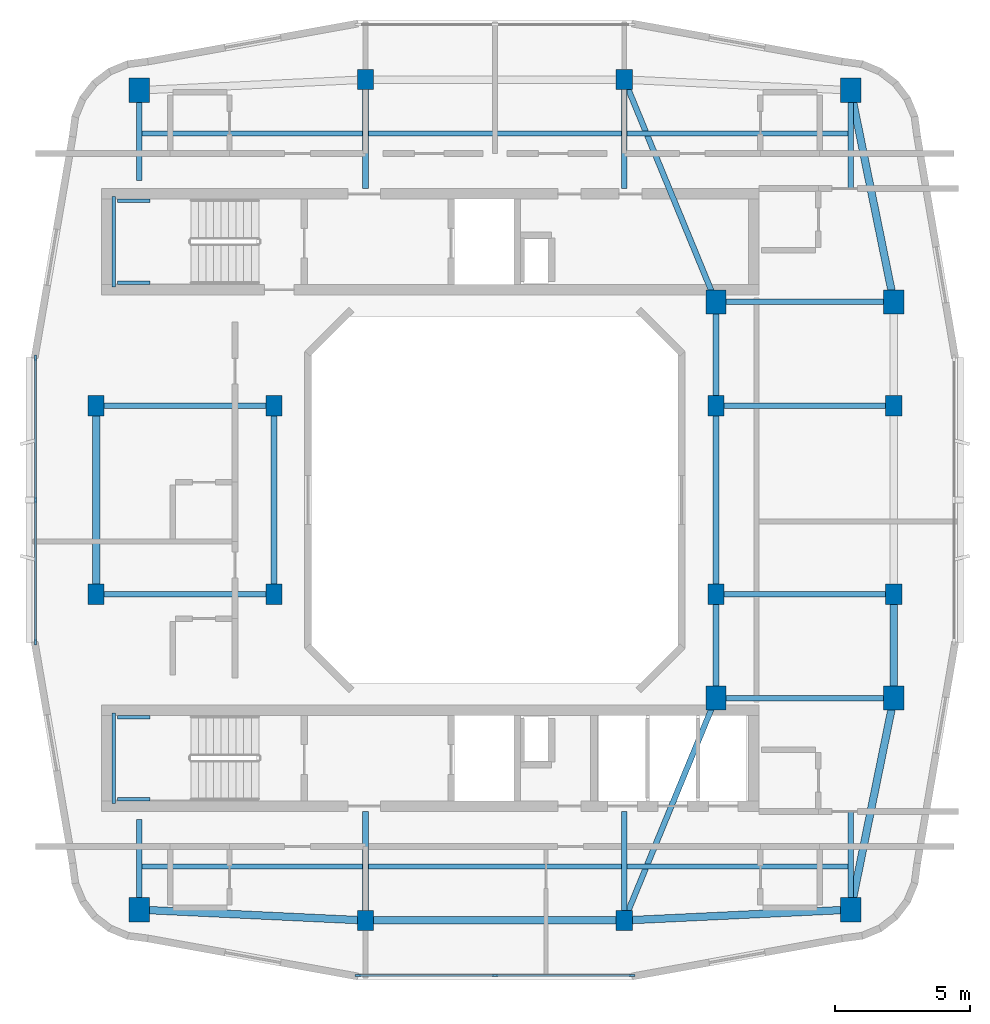
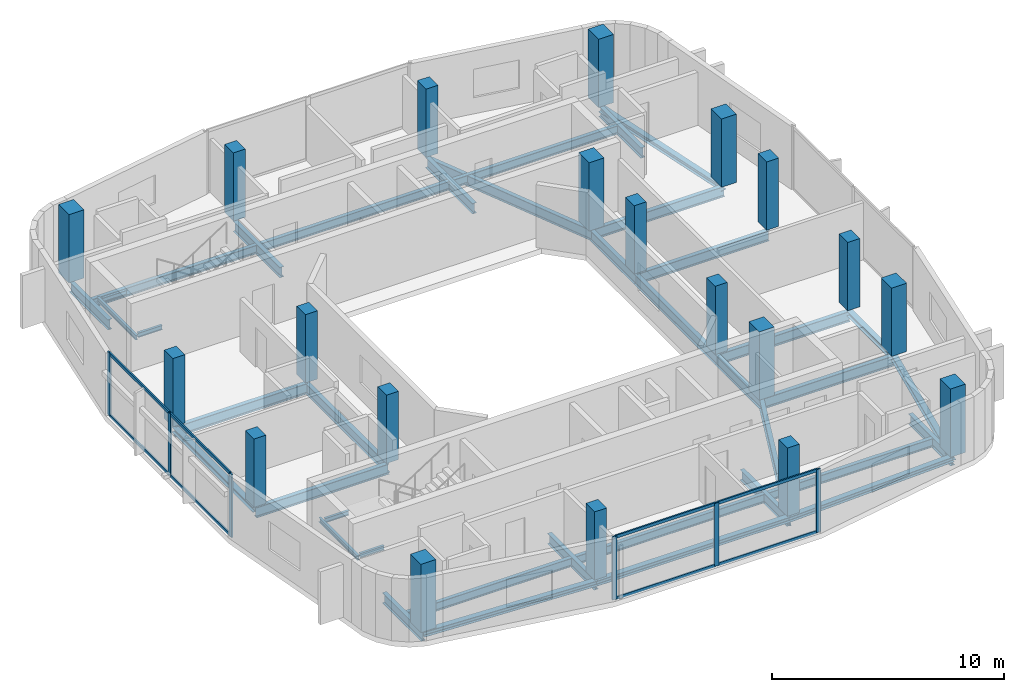
# One storey, part 1 of 8: 39 beams, 20 columns, 14 members, 2 elements without a shape of their own.
"""IFC4 building model written with IfcOpenShell, lengths in metres."""

from ifc_helpers import new_model, si_unit, derived_unit, direction, frame, origin, origin_2d, place, context, subcontext, project, spatial, rectangle, i_section, extrude, material, layer, layer_set, material_profile, profile_set, type_object, element, aggregate, save


model = new_model("IFC4")

# Units and contexts
model_context = context("Model", 3, precision=1e-05, world=origin(), true_north=direction((0.0, 1.0)))
body_context = subcontext(model_context, "Body", "Model", "MODEL_VIEW")
ifc_project = project(units=[si_unit("LENGTHUNIT", "METRE"), si_unit("AREAUNIT", "SQUARE_METRE"), si_unit("VOLUMEUNIT", "CUBIC_METRE"), si_unit("PLANEANGLEUNIT", "RADIAN"), si_unit("MASSUNIT", "GRAM", prefix="KILO"), derived_unit("THERMALTRANSMITTANCEUNIT", [(si_unit("POWERUNIT", "WATT"), 1), (si_unit("LENGTHUNIT", "METRE"), -2), (si_unit("THERMODYNAMICTEMPERATUREUNIT", "KELVIN"), -1)])], contexts=[model_context])

# Site, building, storey
site_placement = place(None, origin())
site = spatial("IfcSite", under=ifc_project, at=site_placement, CompositionType="ELEMENT")
building_placement = place(site_placement, origin())
building = spatial("IfcBuilding", under=site, at=building_placement, Name="Kivonza Crest Hotel", CompositionType="ELEMENT")
storey_placement = place(building_placement, frame((0.0, 0.0, 257.60009765625)))
storey = spatial("IfcBuildingStorey", under=building, at=storey_placement, Name="L70", CompositionType="ELEMENT", Elevation=257.60009765625)

# Columns
ifc_material_1 = material(Name="Concrete C50/60", Category="concrete")
ifc_material_profile_1 = material_profile(ifc_material_1, rectangle(XDim=0.60009765625, YDim=0.75, at=origin_2d()), Name="RC 750x600")
ifc_profile_set_1 = profile_set([ifc_material_profile_1], Name="Concrete C50/60")
column_type_1 = type_object("IfcColumnType", Name="CL-RC-750x600", PredefinedType="COLUMN", material=ifc_profile_set_1)
for number, where, z_axis, x_axis, name in (
    (1, (16.199951171875, 9.39990234375, 0.0), (0.0, 0.0, 1.0), (1.0, 0.0, 0.0), "Tower T1 L70 column S1"),
    (2, (25.800048828125, 9.39990234375, 0.0), (0.0, 0.0, 1.0), (1.0, 0.0, 0.0), "Tower T1 L70 column S2"),
    (3, (16.199951171875, 40.60009765625, 0.0), (0.0, 0.0, 1.0), (1.0, 0.0, 0.0), "Tower T1 L70 column N1"),
    (4, (25.800048828125, 40.60009765625, 0.0), (0.0, 0.0, 1.0), (1.0, 0.0, 0.0), "Tower T1 L70 column N2"),
    (5, (6.199951171875, 21.5, 0.0), (0.0, 0.0, 1.0), (1.0, 0.0, 0.0), "Tower T1 L70 column W1"),
    (6, (6.199951171875, 28.5, 0.0), (0.0, 0.0, 1.0), (1.0, 0.0, 0.0), "Tower T1 L70 column W2"),
    (7, (35.800048828125, 21.5, 0.0), (0.0, 0.0, 1.0), (1.0, 0.0, 0.0), "Tower T1 L70 column E1"),
    (8, (35.800048828125, 28.5, 0.0), (0.0, 0.0, 1.0), (1.0, 0.0, 0.0), "Tower T1 L70 column E2"),
    (9, (12.800048828125, 21.5, 0.0), (0.0, 0.0, 1.0), (1.0, 0.0, 0.0), "Tower T1 L70 column WL1"),
    (10, (12.800048828125, 28.5, 0.0), (0.0, 0.0, 1.0), (1.0, 0.0, 0.0), "Tower T1 L70 column WL2"),
    (11, (29.199951171875, 21.5, 0.0), (0.0, 0.0, 1.0), (1.0, 0.0, 0.0), "Tower T1 L70 column WR1"),
    (12, (29.199951171875, 28.5, 0.0), (0.0, 0.0, 1.0), (1.0, 0.0, 0.0), "Tower T1 L70 column WR2"),
):
    element("IfcColumn", number, at=place(storey_placement, frame(where, z_axis=z_axis, x_axis=x_axis)), inside=storey, type_object=column_type_1, Name=name, PredefinedType="COLUMN", context=body_context, shape_type="SweptSolid", body=[
        extrude(rectangle(XDim=0.60009765625, YDim=0.75, at=origin_2d()), origin(), (0.0, 0.0, 1.0), 3.599853515625),
    ])
ifc_material_profile_2 = material_profile(ifc_material_1, rectangle(XDim=0.75, YDim=0.89990234375, at=origin_2d()), Name="RC 900x750")
ifc_profile_set_2 = profile_set([ifc_material_profile_2], Name="Concrete C50/60")
column_type_2 = type_object("IfcColumnType", Name="CL-RC-900x750", PredefinedType="COLUMN", material=ifc_profile_set_2)
for number, where, z_axis, x_axis, name in (
    (13, (7.800048828125, 9.800048828125, 0.0), (0.0, 0.0, 1.0), (1.0, 0.0, 0.0), "Tower T1 L70 column SW"),
    (14, (34.199951171875, 9.800048828125, 0.0), (0.0, 0.0, 1.0), (1.0, 0.0, 0.0), "Tower T1 L70 column SE"),
    (15, (34.199951171875, 40.199951171875, 0.0), (0.0, 0.0, 1.0), (1.0, 0.0, 0.0), "Tower T1 L70 column NE"),
    (16, (7.800048828125, 40.199951171875, 0.0), (0.0, 0.0, 1.0), (1.0, 0.0, 0.0), "Tower T1 L70 column NW"),
    (17, (35.800048828125, 17.64990234375, 0.0), (0.0, 0.0, 1.0), (1.0, 0.0, 0.0), "Tower T1 L70 column PSE"),
    (18, (35.800048828125, 32.35009765625, 0.0), (0.0, 0.0, 1.0), (1.0, 0.0, 0.0), "Tower T1 L70 column PNE"),
    (19, (29.199951171875, 17.64990234375, 0.0), (0.0, 0.0, 1.0), (1.0, 0.0, 0.0), "Tower T1 L70 column TSE"),
    (20, (29.199951171875, 32.35009765625, 0.0), (0.0, 0.0, 1.0), (1.0, 0.0, 0.0), "Tower T1 L70 column TNE"),
):
    element("IfcColumn", number, at=place(storey_placement, frame(where, z_axis=z_axis, x_axis=x_axis)), inside=storey, type_object=column_type_2, Name=name, PredefinedType="COLUMN", context=body_context, shape_type="SweptSolid", body=[
        extrude(rectangle(XDim=0.75, YDim=0.89990234375, at=origin_2d()), origin(), (0.0, 0.0, 1.0), 3.599853515625),
    ])

# Beams
ifc_material_2 = material(Name="Steel S355", Category="steel")
ifc_material_profile_3 = material_profile(ifc_material_2, i_section(OverallWidth=0.280029296875, OverallDepth=0.280029296875, WebThickness=0.010498046875, FlangeThickness=0.01806640625, FilletRadius=0.02392578125, at=origin_2d()), Name="HEB 280")
ifc_profile_set_3 = profile_set([ifc_material_profile_3], Name="Steel S355")
beam_type_1 = type_object("IfcBeamType", Name="BM-HEB280", PredefinedType="SPANDREL", material=ifc_profile_set_3)
beam_1_placement = place(storey_placement, frame((16.199951171875, 9.39990234375, -0.420166015625), z_axis=(1.0, 0.0, 0.0), x_axis=(0.0, 1.0, 0.0)))
element("IfcBeam", 21, at=beam_1_placement, inside=storey, type_object=beam_type_1, Name="Tower T1 L70 perimeter spandrel S1-S2", PredefinedType="SPANDREL", context=body_context, shape_type="SweptSolid", body=[
    extrude(i_section(OverallWidth=0.280029296875, OverallDepth=0.280029296875, WebThickness=0.010498046875, FlangeThickness=0.01806640625, FilletRadius=0.02392578125, at=origin_2d()), origin(), (0.0, 0.0, 1.0), 9.60009765625),
])
beam_2_placement = place(storey_placement, frame((25.800048828125, 9.39990234375, -0.420166015625), z_axis=(0.998867283688, 0.047583080799, 0.0), x_axis=(-0.047583080799, 0.998867283688, 0.0)))
element("IfcBeam", 22, at=beam_2_placement, inside=storey, type_object=beam_type_1, Name="Tower T1 L70 perimeter spandrel S2-SE", PredefinedType="SPANDREL", context=body_context, shape_type="SweptSolid", body=[
    extrude(i_section(OverallWidth=0.280029296875, OverallDepth=0.280029296875, WebThickness=0.010498046875, FlangeThickness=0.01806640625, FilletRadius=0.02392578125, at=origin_2d()), origin(), (0.0, 0.0, 1.0), 8.409423828125),
])
beam_3_placement = place(storey_placement, frame((34.199951171875, 9.800048828125, -0.420166015625), z_axis=(0.199730733965, 0.979850822273, 0.0), x_axis=(-0.979850822273, 0.199730733965, 0.0)))
element("IfcBeam", 23, at=beam_3_placement, inside=storey, type_object=beam_type_1, Name="Tower T1 L70 perimeter spandrel SE-PSE", PredefinedType="SPANDREL", context=body_context, shape_type="SweptSolid", body=[
    extrude(i_section(OverallWidth=0.280029296875, OverallDepth=0.280029296875, WebThickness=0.010498046875, FlangeThickness=0.01806640625, FilletRadius=0.02392578125, at=origin_2d()), origin(), (0.0, 0.0, 1.0), 8.01123046875),
])
beam_4_placement = place(storey_placement, frame((35.800048828125, 17.64990234375, -0.420166015625), z_axis=(0.0, 1.0, 0.0), x_axis=(-1.0, 0.0, 0.0)))
element("IfcBeam", 24, at=beam_4_placement, inside=storey, type_object=beam_type_1, Name="Tower T1 L70 perimeter spandrel PSE-E1", PredefinedType="SPANDREL", context=body_context, shape_type="SweptSolid", body=[
    extrude(i_section(OverallWidth=0.280029296875, OverallDepth=0.280029296875, WebThickness=0.010498046875, FlangeThickness=0.01806640625, FilletRadius=0.02392578125, at=origin_2d()), origin(), (0.0, 0.0, 1.0), 3.85009765625),
])
beam_5_placement = place(storey_placement, frame((35.800048828125, 32.35009765625, -0.420166015625), z_axis=(-0.199730733965, 0.979850822273, 0.0), x_axis=(-0.979850822273, -0.199730733965, 0.0)))
element("IfcBeam", 25, at=beam_5_placement, inside=storey, type_object=beam_type_1, Name="Tower T1 L70 perimeter spandrel PNE-NE", PredefinedType="SPANDREL", context=body_context, shape_type="SweptSolid", body=[
    extrude(i_section(OverallWidth=0.280029296875, OverallDepth=0.280029296875, WebThickness=0.010498046875, FlangeThickness=0.01806640625, FilletRadius=0.02392578125, at=origin_2d()), origin(), (0.0, 0.0, 1.0), 8.01123046875),
])
beam_6_placement = place(storey_placement, frame((6.199951171875, 28.5, -0.420166015625), z_axis=(0.0, -1.0, 0.0), x_axis=(1.0, 0.0, 0.0)))
element("IfcBeam", 26, at=beam_6_placement, inside=storey, type_object=beam_type_1, Name="Tower T1 L70 perimeter spandrel W2-W1", PredefinedType="SPANDREL", context=body_context, shape_type="SweptSolid", body=[
    extrude(i_section(OverallWidth=0.280029296875, OverallDepth=0.280029296875, WebThickness=0.010498046875, FlangeThickness=0.01806640625, FilletRadius=0.02392578125, at=origin_2d()), origin(), (0.0, 0.0, 1.0), 7.0),
])
beam_7_placement = place(storey_placement, frame((7.800048828125, 9.800048828125, -0.420166015625), z_axis=(0.998867283688, -0.047583080799, 0.0), x_axis=(0.047583080799, 0.998867283688, 0.0)))
element("IfcBeam", 27, at=beam_7_placement, inside=storey, type_object=beam_type_1, Name="Tower T1 L70 perimeter spandrel SW-S1", PredefinedType="SPANDREL", context=body_context, shape_type="SweptSolid", body=[
    extrude(i_section(OverallWidth=0.280029296875, OverallDepth=0.280029296875, WebThickness=0.010498046875, FlangeThickness=0.01806640625, FilletRadius=0.02392578125, at=origin_2d()), origin(), (0.0, 0.0, 1.0), 8.409423828125),
])
ifc_material_profile_4 = material_profile(ifc_material_2, i_section(OverallWidth=0.18994140625, OverallDepth=0.449951171875, WebThickness=0.009521484375, FlangeThickness=0.0146484375, FilletRadius=0.02099609375, at=origin_2d()), Name="IPE 450")
ifc_profile_set_4 = profile_set([ifc_material_profile_4], Name="Steel S355")
beam_type_2 = type_object("IfcBeamType", Name="BM-IPE450", PredefinedType="JOIST", material=ifc_profile_set_4)
beam_8_placement = place(storey_placement, frame((7.8798828125, 11.39990234375, -0.505126953125), z_axis=(1.0, 0.0, 0.0), x_axis=(0.0, 1.0, 0.0)))
element("IfcBeam", 28, at=beam_8_placement, inside=storey, type_object=beam_type_2, Name="Tower T1 L70 South-West floor joist", PredefinedType="JOIST", context=body_context, shape_type="SweptSolid", body=[
    extrude(i_section(OverallWidth=0.18994140625, OverallDepth=0.449951171875, WebThickness=0.009521484375, FlangeThickness=0.0146484375, FilletRadius=0.02099609375, at=origin_2d()), origin(), (0.0, 0.0, 1.0), 8.240234375),
])
beam_9_placement = place(storey_placement, frame((16.280029296875, 11.39990234375, -0.505126953125), z_axis=(1.0, 0.0, 0.0), x_axis=(0.0, 1.0, 0.0)))
element("IfcBeam", 29, at=beam_9_placement, inside=storey, type_object=beam_type_2, Name="Tower T1 L70 South-Mid floor joist", PredefinedType="JOIST", context=body_context, shape_type="SweptSolid", body=[
    extrude(i_section(OverallWidth=0.18994140625, OverallDepth=0.449951171875, WebThickness=0.009521484375, FlangeThickness=0.0146484375, FilletRadius=0.02099609375, at=origin_2d()), origin(), (0.0, 0.0, 1.0), 9.43994140625),
])
for number, where, z_axis, x_axis, name in (
    (30, (25.8798828125, 11.39990234375, -0.505126953125), (1.0, 0.0, 0.0), (0.0, 1.0, 0.0), "Tower T1 L70 South-East floor joist"),
    (31, (7.8798828125, 38.60009765625, -0.505126953125), (1.0, 0.0, 0.0), (0.0, 1.0, 0.0), "Tower T1 L70 North-West floor joist"),
):
    element("IfcBeam", number, at=place(storey_placement, frame(where, z_axis=z_axis, x_axis=x_axis)), inside=storey, type_object=beam_type_2, Name=name, PredefinedType="JOIST", context=body_context, shape_type="SweptSolid", body=[
        extrude(i_section(OverallWidth=0.18994140625, OverallDepth=0.449951171875, WebThickness=0.009521484375, FlangeThickness=0.0146484375, FilletRadius=0.02099609375, at=origin_2d()), origin(), (0.0, 0.0, 1.0), 8.240234375),
    ])
beam_10_placement = place(storey_placement, frame((16.280029296875, 38.60009765625, -0.505126953125), z_axis=(1.0, 0.0, 0.0), x_axis=(0.0, 1.0, 0.0)))
element("IfcBeam", 32, at=beam_10_placement, inside=storey, type_object=beam_type_2, Name="Tower T1 L70 North-Mid floor joist", PredefinedType="JOIST", context=body_context, shape_type="SweptSolid", body=[
    extrude(i_section(OverallWidth=0.18994140625, OverallDepth=0.449951171875, WebThickness=0.009521484375, FlangeThickness=0.0146484375, FilletRadius=0.02099609375, at=origin_2d()), origin(), (0.0, 0.0, 1.0), 9.43994140625),
])
beam_11_placement = place(storey_placement, frame((25.8798828125, 38.60009765625, -0.505126953125), z_axis=(1.0, 0.0, 0.0), x_axis=(0.0, 1.0, 0.0)))
element("IfcBeam", 33, at=beam_11_placement, inside=storey, type_object=beam_type_2, Name="Tower T1 L70 North-East floor joist", PredefinedType="JOIST", context=body_context, shape_type="SweptSolid", body=[
    extrude(i_section(OverallWidth=0.18994140625, OverallDepth=0.449951171875, WebThickness=0.009521484375, FlangeThickness=0.0146484375, FilletRadius=0.02099609375, at=origin_2d()), origin(), (0.0, 0.0, 1.0), 8.240234375),
])
ifc_material_profile_5 = material_profile(ifc_material_2, i_section(OverallWidth=0.2099609375, OverallDepth=0.550048828125, WebThickness=0.010986328125, FlangeThickness=0.01708984375, FilletRadius=0.02392578125, at=origin_2d()), Name="IPE 550")
ifc_profile_set_5 = profile_set([ifc_material_profile_5], Name="Steel S355")
beam_type_3 = type_object("IfcBeamType", Name="BM-IPE550", PredefinedType="BEAM", material=ifc_profile_set_5)
for number, where, z_axis, x_axis, name in (
    (34, (6.199951171875, 21.5, -0.55517578125), (1.0, 0.0, 0.0), (0.0, 1.0, 0.0), "Tower T1 L70 primary girder W1-WL1"),
    (35, (6.199951171875, 28.5, -0.55517578125), (1.0, 0.0, 0.0), (0.0, 1.0, 0.0), "Tower T1 L70 primary girder W2-WL2"),
):
    element("IfcBeam", number, at=place(storey_placement, frame(where, z_axis=z_axis, x_axis=x_axis)), inside=storey, type_object=beam_type_3, Name=name, PredefinedType="BEAM", context=body_context, shape_type="SweptSolid", body=[
        extrude(i_section(OverallWidth=0.2099609375, OverallDepth=0.550048828125, WebThickness=0.010986328125, FlangeThickness=0.01708984375, FilletRadius=0.02392578125, at=origin_2d()), origin(), (0.0, 0.0, 1.0), 6.60009765625),
    ])
beam_12_placement = place(storey_placement, frame((12.800048828125, 21.5, -0.55517578125), z_axis=(0.0, 1.0, 0.0), x_axis=(-1.0, 0.0, 0.0)))
element("IfcBeam", 36, at=beam_12_placement, inside=storey, type_object=beam_type_3, Name="Tower T1 L70 primary girder WL1-WL2", PredefinedType="BEAM", context=body_context, shape_type="SweptSolid", body=[
    extrude(i_section(OverallWidth=0.2099609375, OverallDepth=0.550048828125, WebThickness=0.010986328125, FlangeThickness=0.01708984375, FilletRadius=0.02392578125, at=origin_2d()), origin(), (0.0, 0.0, 1.0), 7.0),
])
for number, where, z_axis, x_axis, name in (
    (37, (25.800048828125, 9.39990234375, -0.55517578125), (0.381022260404, 0.924565864109, 0.0), (-0.924565864109, 0.381022260404, 0.0), "Tower T1 L70 primary girder S1-TSE"),
    (38, (25.800048828125, 40.60009765625, -0.55517578125), (0.381022260404, -0.924565864109, 0.0), (0.924565864109, 0.381022260404, 0.0), "Tower T1 L70 primary girder N1-TNE"),
):
    element("IfcBeam", number, at=place(storey_placement, frame(where, z_axis=z_axis, x_axis=x_axis)), inside=storey, type_object=beam_type_3, Name=name, PredefinedType="BEAM", context=body_context, shape_type="SweptSolid", body=[
        extrude(i_section(OverallWidth=0.2099609375, OverallDepth=0.550048828125, WebThickness=0.010986328125, FlangeThickness=0.01708984375, FilletRadius=0.02392578125, at=origin_2d()), origin(), (0.0, 0.0, 1.0), 8.923095703125),
    ])
for number, where, z_axis, x_axis, name in (
    (39, (29.199951171875, 17.64990234375, -0.55517578125), (1.0, 0.0, 0.0), (0.0, 1.0, 0.0), "Tower T1 L70 primary girder TSE-PSE"),
    (40, (29.199951171875, 32.35009765625, -0.55517578125), (1.0, 0.0, 0.0), (0.0, 1.0, 0.0), "Tower T1 L70 primary girder TNE-PNE"),
):
    element("IfcBeam", number, at=place(storey_placement, frame(where, z_axis=z_axis, x_axis=x_axis)), inside=storey, type_object=beam_type_3, Name=name, PredefinedType="BEAM", context=body_context, shape_type="SweptSolid", body=[
        extrude(i_section(OverallWidth=0.2099609375, OverallDepth=0.550048828125, WebThickness=0.010986328125, FlangeThickness=0.01708984375, FilletRadius=0.02392578125, at=origin_2d()), origin(), (0.0, 0.0, 1.0), 6.60009765625),
    ])
beam_13_placement = place(storey_placement, frame((29.199951171875, 21.5, -0.55517578125), z_axis=(0.0, 1.0, 0.0), x_axis=(-1.0, 0.0, 0.0)))
element("IfcBeam", 41, at=beam_13_placement, inside=storey, type_object=beam_type_3, Name="Tower T1 L70 primary girder WR1-WR2", PredefinedType="BEAM", context=body_context, shape_type="SweptSolid", body=[
    extrude(i_section(OverallWidth=0.2099609375, OverallDepth=0.550048828125, WebThickness=0.010986328125, FlangeThickness=0.01708984375, FilletRadius=0.02392578125, at=origin_2d()), origin(), (0.0, 0.0, 1.0), 7.0),
])
for number, where, z_axis, x_axis, name in (
    (42, (29.199951171875, 17.64990234375, -0.55517578125), (0.0, 1.0, 0.0), (-1.0, 0.0, 0.0), "Tower T1 L70 primary girder TSE-WR1"),
    (43, (29.199951171875, 28.5, -0.55517578125), (0.0, 1.0, 0.0), (-1.0, 0.0, 0.0), "Tower T1 L70 primary girder WR2-TNE"),
):
    element("IfcBeam", number, at=place(storey_placement, frame(where, z_axis=z_axis, x_axis=x_axis)), inside=storey, type_object=beam_type_3, Name=name, PredefinedType="BEAM", context=body_context, shape_type="SweptSolid", body=[
        extrude(i_section(OverallWidth=0.2099609375, OverallDepth=0.550048828125, WebThickness=0.010986328125, FlangeThickness=0.01708984375, FilletRadius=0.02392578125, at=origin_2d()), origin(), (0.0, 0.0, 1.0), 3.85009765625),
    ])
for number, where, z_axis, x_axis, name in (
    (44, (29.199951171875, 21.5, -0.55517578125), (1.0, 0.0, 0.0), (0.0, 1.0, 0.0), "Tower T1 L70 primary girder WR1-E1"),
    (45, (29.199951171875, 28.5, -0.55517578125), (1.0, 0.0, 0.0), (0.0, 1.0, 0.0), "Tower T1 L70 primary girder WR2-E2"),
):
    element("IfcBeam", number, at=place(storey_placement, frame(where, z_axis=z_axis, x_axis=x_axis)), inside=storey, type_object=beam_type_3, Name=name, PredefinedType="BEAM", context=body_context, shape_type="SweptSolid", body=[
        extrude(i_section(OverallWidth=0.2099609375, OverallDepth=0.550048828125, WebThickness=0.010986328125, FlangeThickness=0.01708984375, FilletRadius=0.02392578125, at=origin_2d()), origin(), (0.0, 0.0, 1.0), 6.60009765625),
    ])
beam_14_placement = place(storey_placement, frame((7.800048828125, 9.800048828125, -0.55517578125), z_axis=(0.0, 1.0, 0.0), x_axis=(-1.0, 0.0, 0.0)))
element("IfcBeam", 46, at=beam_14_placement, inside=storey, type_object=beam_type_3, Name="Tower T1 L70 radial core girder RSW", PredefinedType="BEAM", context=body_context, shape_type="SweptSolid", body=[
    extrude(i_section(OverallWidth=0.2099609375, OverallDepth=0.550048828125, WebThickness=0.010986328125, FlangeThickness=0.01708984375, FilletRadius=0.02392578125, at=origin_2d()), origin(), (0.0, 0.0, 1.0), 3.349853515625),
])
for number, where, z_axis, x_axis, name in (
    (47, (16.199951171875, 9.39990234375, -0.55517578125), (0.0, 1.0, 0.0), (-1.0, 0.0, 0.0), "Tower T1 L70 radial core girder RS1"),
    (48, (25.800048828125, 9.39990234375, -0.55517578125), (0.0, 1.0, 0.0), (-1.0, 0.0, 0.0), "Tower T1 L70 radial core girder RS2"),
):
    element("IfcBeam", number, at=place(storey_placement, frame(where, z_axis=z_axis, x_axis=x_axis)), inside=storey, type_object=beam_type_3, Name=name, PredefinedType="BEAM", context=body_context, shape_type="SweptSolid", body=[
        extrude(i_section(OverallWidth=0.2099609375, OverallDepth=0.550048828125, WebThickness=0.010986328125, FlangeThickness=0.01708984375, FilletRadius=0.02392578125, at=origin_2d()), origin(), (0.0, 0.0, 1.0), 4.050048828125),
    ])
beam_15_placement = place(storey_placement, frame((34.199951171875, 9.800048828125, -0.55517578125), z_axis=(0.0, 1.0, 0.0), x_axis=(-1.0, 0.0, 0.0)))
element("IfcBeam", 49, at=beam_15_placement, inside=storey, type_object=beam_type_3, Name="Tower T1 L70 radial core girder RSE", PredefinedType="BEAM", context=body_context, shape_type="SweptSolid", body=[
    extrude(i_section(OverallWidth=0.2099609375, OverallDepth=0.550048828125, WebThickness=0.010986328125, FlangeThickness=0.01708984375, FilletRadius=0.02392578125, at=origin_2d()), origin(), (0.0, 0.0, 1.0), 3.64990234375),
])
beam_16_placement = place(storey_placement, frame((7.800048828125, 40.199951171875, -0.55517578125), z_axis=(0.0, -1.0, 0.0), x_axis=(1.0, 0.0, 0.0)))
element("IfcBeam", 50, at=beam_16_placement, inside=storey, type_object=beam_type_3, Name="Tower T1 L70 radial core girder RNW", PredefinedType="BEAM", context=body_context, shape_type="SweptSolid", body=[
    extrude(i_section(OverallWidth=0.2099609375, OverallDepth=0.550048828125, WebThickness=0.010986328125, FlangeThickness=0.01708984375, FilletRadius=0.02392578125, at=origin_2d()), origin(), (0.0, 0.0, 1.0), 3.349853515625),
])
for number, where, z_axis, x_axis, name in (
    (51, (16.199951171875, 40.60009765625, -0.55517578125), (0.0, -1.0, 0.0), (1.0, 0.0, 0.0), "Tower T1 L70 radial core girder RN1"),
    (52, (25.800048828125, 40.60009765625, -0.55517578125), (0.0, -1.0, 0.0), (1.0, 0.0, 0.0), "Tower T1 L70 radial core girder RN2"),
):
    element("IfcBeam", number, at=place(storey_placement, frame(where, z_axis=z_axis, x_axis=x_axis)), inside=storey, type_object=beam_type_3, Name=name, PredefinedType="BEAM", context=body_context, shape_type="SweptSolid", body=[
        extrude(i_section(OverallWidth=0.2099609375, OverallDepth=0.550048828125, WebThickness=0.010986328125, FlangeThickness=0.01708984375, FilletRadius=0.02392578125, at=origin_2d()), origin(), (0.0, 0.0, 1.0), 4.050048828125),
    ])
beam_17_placement = place(storey_placement, frame((34.199951171875, 40.199951171875, -0.55517578125), z_axis=(0.0, -1.0, 0.0), x_axis=(1.0, 0.0, 0.0)))
element("IfcBeam", 53, at=beam_17_placement, inside=storey, type_object=beam_type_3, Name="Tower T1 L70 radial core girder RNE", PredefinedType="BEAM", context=body_context, shape_type="SweptSolid", body=[
    extrude(i_section(OverallWidth=0.2099609375, OverallDepth=0.550048828125, WebThickness=0.010986328125, FlangeThickness=0.01708984375, FilletRadius=0.02392578125, at=origin_2d()), origin(), (0.0, 0.0, 1.0), 3.64990234375),
])
ifc_material_profile_6 = material_profile(ifc_material_2, i_section(OverallWidth=0.1201171875, OverallDepth=0.239990234375, WebThickness=0.006103515625, FlangeThickness=0.009765625, FilletRadius=0.014892578125, at=origin_2d()), Name="IPE 240")
ifc_profile_set_6 = profile_set([ifc_material_profile_6], Name="Steel S355")
beam_type_4 = type_object("IfcBeamType", Name="BM-LLDG-240", PredefinedType="BEAM", material=ifc_profile_set_6)
beam_18_placement = place(storey_placement, frame((6.860107421875, 32.89990234375, 1.47998046875), z_axis=(0.0, 1.0, 0.0), x_axis=(-1.0, 0.0, 0.0)))
element("IfcBeam", 54, at=beam_18_placement, inside=storey, type_object=beam_type_4, Name="Stair ST-T1-N L70 West landing corbel", PredefinedType="BEAM", context=body_context, shape_type="SweptSolid", body=[
    extrude(i_section(OverallWidth=0.1201171875, OverallDepth=0.239990234375, WebThickness=0.006103515625, FlangeThickness=0.009765625, FilletRadius=0.014892578125, at=origin_2d()), origin(), (0.0, 0.0, 1.0), 3.360107421875),
])
for number, where, z_axis, x_axis, name in (
    (55, (6.989990234375, 33.06005859375, 1.47998046875), (1.0, 0.0, 0.0), (0.0, 1.0, 0.0), "Stair ST-T1-N L70 South landing corbel"),
    (56, (6.989990234375, 36.10009765625, 1.47998046875), (1.0, 0.0, 0.0), (0.0, 1.0, 0.0), "Stair ST-T1-N L70 North landing corbel"),
):
    element("IfcBeam", number, at=place(storey_placement, frame(where, z_axis=z_axis, x_axis=x_axis)), inside=storey, type_object=beam_type_4, Name=name, PredefinedType="BEAM", context=body_context, shape_type="SweptSolid", body=[
        extrude(i_section(OverallWidth=0.1201171875, OverallDepth=0.239990234375, WebThickness=0.006103515625, FlangeThickness=0.009765625, FilletRadius=0.014892578125, at=origin_2d()), origin(), (0.0, 0.0, 1.0), 1.2099609375),
    ])
beam_19_placement = place(storey_placement, frame((6.860107421875, 13.739990234375, 1.47998046875), z_axis=(0.0, 1.0, 0.0), x_axis=(-1.0, 0.0, 0.0)))
element("IfcBeam", 57, at=beam_19_placement, inside=storey, type_object=beam_type_4, Name="Stair ST-T1-S L70 West landing corbel", PredefinedType="BEAM", context=body_context, shape_type="SweptSolid", body=[
    extrude(i_section(OverallWidth=0.1201171875, OverallDepth=0.239990234375, WebThickness=0.006103515625, FlangeThickness=0.009765625, FilletRadius=0.014892578125, at=origin_2d()), origin(), (0.0, 0.0, 1.0), 3.360107421875),
])
for number, where, z_axis, x_axis, name in (
    (58, (6.989990234375, 13.89990234375, 1.47998046875), (1.0, 0.0, 0.0), (0.0, 1.0, 0.0), "Stair ST-T1-S L70 South landing corbel"),
    (59, (6.989990234375, 16.93994140625, 1.47998046875), (1.0, 0.0, 0.0), (0.0, 1.0, 0.0), "Stair ST-T1-S L70 North landing corbel"),
):
    element("IfcBeam", number, at=place(storey_placement, frame(where, z_axis=z_axis, x_axis=x_axis)), inside=storey, type_object=beam_type_4, Name=name, PredefinedType="BEAM", context=body_context, shape_type="SweptSolid", body=[
        extrude(i_section(OverallWidth=0.1201171875, OverallDepth=0.239990234375, WebThickness=0.006103515625, FlangeThickness=0.009765625, FilletRadius=0.014892578125, at=origin_2d()), origin(), (0.0, 0.0, 1.0), 1.2099609375),
    ])

# Curtain wall, members
ifc_material_3 = material(Name="Anodised bronze aluminium and low-E double glazing", Category="aluminium")
ifc_layer = layer(ifc_material_3, 0.179931640625)
ifc_layer_set = layer_set([ifc_layer], Name="Anodised bronze aluminium and low-E double glazing")
curtain_wall_type = type_object("IfcCurtainWallType", Name="CW-SYS-3", PredefinedType="NOTDEFINED", material=ifc_layer_set)
curtain_wall_1_placement = place(storey_placement, origin())
curtain_wall_1 = element("IfcCurtainWall", 60, at=curtain_wall_1_placement, inside=storey, type_object=curtain_wall_type, Name="L70 unitised curtain wall CW-T1-L70-08", PredefinedType="NOTDEFINED")
ifc_material_4 = material(Name="Anodised bronze aluminium", Category="aluminium")
ifc_material_profile_7 = material_profile(ifc_material_4, rectangle(XDim=0.074951171875, YDim=0.219970703125, at=origin_2d()), Name="CW-M 75x220")
ifc_profile_set_7 = profile_set([ifc_material_profile_7], Name="Anodised bronze aluminium")
member_type_1 = type_object("IfcMemberType", Name="CW-MUL-75x220", PredefinedType="MULLION", material=ifc_profile_set_7)
member_1_placement = place(storey_placement, frame((15.91748046875, 7.360107421875, 0.0), z_axis=(0.0, 0.0, 1.0), x_axis=(0.0, 1.0, 0.0)))
member_1 = element("IfcMember", 61, at=member_1_placement, type_object=member_type_1, Name="CW-3 mullion 1", PredefinedType="MULLION", context=body_context, shape_type="SweptSolid", body=[
    extrude(rectangle(XDim=0.074951171875, YDim=0.219970703125, at=origin_2d()), origin(), (0.0, 0.0, 1.0), 3.31982421875),
])
member_2_placement = place(storey_placement, frame((21.0, 7.360107421875, 0.0), z_axis=(0.0, 0.0, 1.0), x_axis=(0.0, 1.0, 0.0)))
member_2 = element("IfcMember", 62, at=member_2_placement, type_object=member_type_1, Name="CW-3 mullion 2", PredefinedType="MULLION", context=body_context, shape_type="SweptSolid", body=[
    extrude(rectangle(XDim=0.074951171875, YDim=0.219970703125, at=origin_2d()), origin(), (0.0, 0.0, 1.0), 3.31982421875),
])
member_3_placement = place(storey_placement, frame((26.08251953125, 7.360107421875, 0.0), z_axis=(0.0, 0.0, 1.0), x_axis=(0.0, 1.0, 0.0)))
member_3 = element("IfcMember", 63, at=member_3_placement, type_object=member_type_1, Name="CW-3 mullion 3", PredefinedType="MULLION", context=body_context, shape_type="SweptSolid", body=[
    extrude(rectangle(XDim=0.074951171875, YDim=0.219970703125, at=origin_2d()), origin(), (0.0, 0.0, 1.0), 3.31982421875),
])

curtain_wall_2_placement = place(storey_placement, origin())
curtain_wall_2 = element("IfcCurtainWall", 64, at=curtain_wall_2_placement, inside=storey, type_object=curtain_wall_type, Name="L70 unitised curtain wall CW-T1-L70-35", PredefinedType="NOTDEFINED")
member_4_placement = place(storey_placement, frame((3.9599609375, 30.262451171875, 0.0), z_axis=(0.0, 0.0, 1.0), x_axis=(1.0, 0.0, 0.0)))
member_4 = element("IfcMember", 65, at=member_4_placement, type_object=member_type_1, Name="CW-3 mullion 1", PredefinedType="MULLION", context=body_context, shape_type="SweptSolid", body=[
    extrude(rectangle(XDim=0.074951171875, YDim=0.219970703125, at=origin_2d()), origin(), (0.0, 0.0, 1.0), 3.31982421875),
])
member_5_placement = place(storey_placement, frame((3.9599609375, 25.0, 0.0), z_axis=(0.0, 0.0, 1.0), x_axis=(1.0, 0.0, 0.0)))
member_5 = element("IfcMember", 66, at=member_5_placement, type_object=member_type_1, Name="CW-3 mullion 2", PredefinedType="MULLION", context=body_context, shape_type="SweptSolid", body=[
    extrude(rectangle(XDim=0.074951171875, YDim=0.219970703125, at=origin_2d()), origin(), (0.0, 0.0, 1.0), 3.31982421875),
])
member_6_placement = place(storey_placement, frame((3.9599609375, 19.737548828125, 0.0), z_axis=(0.0, 0.0, 1.0), x_axis=(1.0, 0.0, 0.0)))
member_6 = element("IfcMember", 67, at=member_6_placement, type_object=member_type_1, Name="CW-3 mullion 3", PredefinedType="MULLION", context=body_context, shape_type="SweptSolid", body=[
    extrude(rectangle(XDim=0.074951171875, YDim=0.219970703125, at=origin_2d()), origin(), (0.0, 0.0, 1.0), 3.31982421875),
])

# Member
ifc_material_profile_8 = material_profile(ifc_material_4, rectangle(XDim=0.074951171875, YDim=0.159912109375, at=origin_2d()), Name="CW-T 75x160")
ifc_profile_set_8 = profile_set([ifc_material_profile_8], Name="Anodised bronze aluminium")
member_type_2 = type_object("IfcMemberType", Name="CW-TRN-75x160", PredefinedType="USERDEFINED", material=ifc_profile_set_8)
member_7_placement = place(storey_placement, frame((15.955078125, 7.360107421875, 0.037353515625), z_axis=(1.0, 0.0, 0.0), x_axis=(0.0, 1.0, 0.0)))
member_7 = element("IfcMember", 68, at=member_7_placement, type_object=member_type_2, Name="CW-3 transom 1.1", ObjectType="TRANSOM", PredefinedType="USERDEFINED", context=body_context, shape_type="SweptSolid", body=[
    extrude(rectangle(XDim=0.074951171875, YDim=0.159912109375, at=origin_2d()), origin(), (0.0, 0.0, 1.0), 5.00732421875),
])

member_8_placement = place(storey_placement, frame((15.955078125, 7.360107421875, 3.282470703125), z_axis=(1.0, 0.0, 0.0), x_axis=(0.0, 1.0, 0.0)))
member_8 = element("IfcMember", 69, at=member_8_placement, type_object=member_type_2, Name="CW-3 transom 1.2", ObjectType="TRANSOM", PredefinedType="USERDEFINED", context=body_context, shape_type="SweptSolid", body=[
    extrude(rectangle(XDim=0.074951171875, YDim=0.159912109375, at=origin_2d()), origin(), (0.0, 0.0, 1.0), 5.00732421875),
])

member_9_placement = place(storey_placement, frame((21.03759765625, 7.360107421875, 0.037353515625), z_axis=(1.0, 0.0, 0.0), x_axis=(0.0, 1.0, 0.0)))
member_9 = element("IfcMember", 70, at=member_9_placement, type_object=member_type_2, Name="CW-3 transom 2.1", ObjectType="TRANSOM", PredefinedType="USERDEFINED", context=body_context, shape_type="SweptSolid", body=[
    extrude(rectangle(XDim=0.074951171875, YDim=0.159912109375, at=origin_2d()), origin(), (0.0, 0.0, 1.0), 5.00732421875),
])

member_10_placement = place(storey_placement, frame((21.03759765625, 7.360107421875, 3.282470703125), z_axis=(1.0, 0.0, 0.0), x_axis=(0.0, 1.0, 0.0)))
member_10 = element("IfcMember", 71, at=member_10_placement, type_object=member_type_2, Name="CW-3 transom 2.2", ObjectType="TRANSOM", PredefinedType="USERDEFINED", context=body_context, shape_type="SweptSolid", body=[
    extrude(rectangle(XDim=0.074951171875, YDim=0.159912109375, at=origin_2d()), origin(), (0.0, 0.0, 1.0), 5.00732421875),
])

aggregate(curtain_wall_1, [member_1, member_2, member_3, member_7, member_8, member_9, member_10])

member_11_placement = place(storey_placement, frame((3.9599609375, 30.22509765625, 0.037353515625), z_axis=(0.0, -1.0, 0.0), x_axis=(1.0, 0.0, 0.0)))
member_11 = element("IfcMember", 72, at=member_11_placement, type_object=member_type_2, Name="CW-3 transom 1.1", ObjectType="TRANSOM", PredefinedType="USERDEFINED", context=body_context, shape_type="SweptSolid", body=[
    extrude(rectangle(XDim=0.074951171875, YDim=0.159912109375, at=origin_2d()), origin(), (0.0, 0.0, 1.0), 5.1875),
])

member_12_placement = place(storey_placement, frame((3.9599609375, 30.22509765625, 3.282470703125), z_axis=(0.0, -1.0, 0.0), x_axis=(1.0, 0.0, 0.0)))
member_12 = element("IfcMember", 73, at=member_12_placement, type_object=member_type_2, Name="CW-3 transom 1.2", ObjectType="TRANSOM", PredefinedType="USERDEFINED", context=body_context, shape_type="SweptSolid", body=[
    extrude(rectangle(XDim=0.074951171875, YDim=0.159912109375, at=origin_2d()), origin(), (0.0, 0.0, 1.0), 5.1875),
])

member_13_placement = place(storey_placement, frame((3.9599609375, 24.96240234375, 0.037353515625), z_axis=(0.0, -1.0, 0.0), x_axis=(1.0, 0.0, 0.0)))
member_13 = element("IfcMember", 74, at=member_13_placement, type_object=member_type_2, Name="CW-3 transom 2.1", ObjectType="TRANSOM", PredefinedType="USERDEFINED", context=body_context, shape_type="SweptSolid", body=[
    extrude(rectangle(XDim=0.074951171875, YDim=0.159912109375, at=origin_2d()), origin(), (0.0, 0.0, 1.0), 5.1875),
])

member_14_placement = place(storey_placement, frame((3.9599609375, 24.96240234375, 3.282470703125), z_axis=(0.0, -1.0, 0.0), x_axis=(1.0, 0.0, 0.0)))
member_14 = element("IfcMember", 75, at=member_14_placement, type_object=member_type_2, Name="CW-3 transom 2.2", ObjectType="TRANSOM", PredefinedType="USERDEFINED", context=body_context, shape_type="SweptSolid", body=[
    extrude(rectangle(XDim=0.074951171875, YDim=0.159912109375, at=origin_2d()), origin(), (0.0, 0.0, 1.0), 5.1875),
])

aggregate(curtain_wall_2, [member_4, member_5, member_6, member_11, member_12, member_13, member_14])

save(model, "model.ifc")
